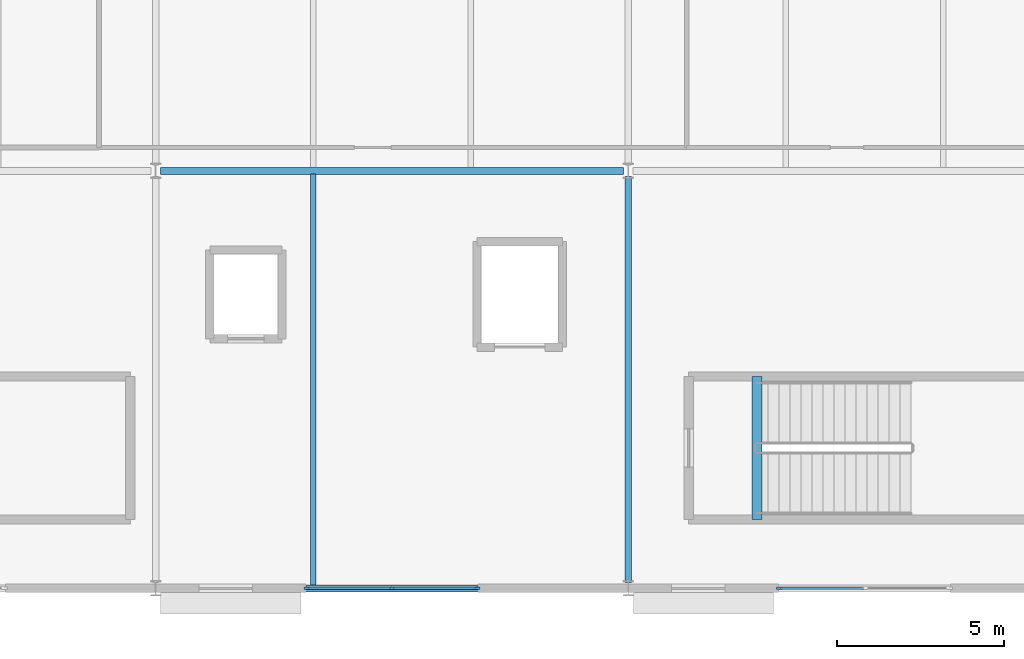
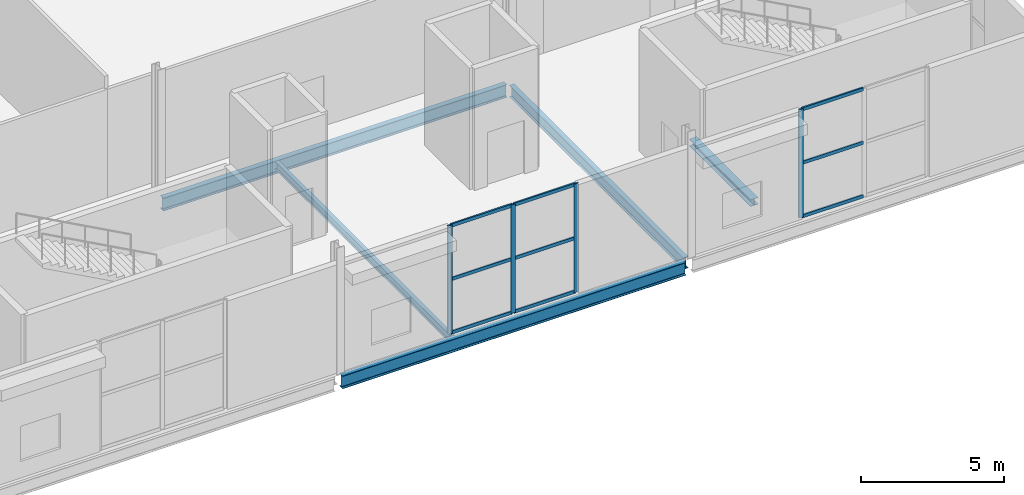
# One storey, part 40 of 84: 13 members, 5 beams, 2 elements without a shape of their own.
"""IFC4 building model written with IfcOpenShell, lengths in metres."""

from ifc_helpers import new_model, si_unit, direction, frame, origin, origin_2d, place, context, subcontext, project, spatial, rectangle, i_section, extrude, material, material_profile, profile_set, type_object, element, aggregate, save


model = new_model("IFC4")

# Units and contexts
model_context = context("Model", 3, precision=1e-05, world=origin(), true_north=direction((0.0, 1.0)))
body_context = subcontext(model_context, "Body", "Model", "MODEL_VIEW")
ifc_project = project(units=[si_unit("LENGTHUNIT", "METRE"), si_unit("AREAUNIT", "SQUARE_METRE"), si_unit("VOLUMEUNIT", "CUBIC_METRE"), si_unit("PLANEANGLEUNIT", "RADIAN"), si_unit("MASSUNIT", "GRAM", prefix="KILO")], contexts=[model_context])

# Site, building, storey
site_placement = place(None, origin())
site = spatial("IfcSite", under=ifc_project, at=site_placement, CompositionType="ELEMENT")
building_placement = place(site_placement, origin())
building = spatial("IfcBuilding", under=site, at=building_placement, Name="Kimbaza Rail Terminus", CompositionType="ELEMENT")
storey_placement = place(building_placement, frame((0.0, 0.0, 5.39990234375)))
storey = spatial("IfcBuildingStorey", under=building, at=storey_placement, Name="L01", CompositionType="ELEMENT", Elevation=5.39990234375)

# Curtain wall, members
ifc_material_1 = material(Name="Anodised aluminium framing and solar low-E glazing", Category="aluminium")
curtain_wall_type = type_object("IfcCurtainWallType", Name="ARC-CW-PV1", PredefinedType="USERDEFINED", material=ifc_material_1)
curtain_wall_1_placement = place(storey_placement, origin())
curtain_wall_1 = element("IfcCurtainWall", 1, at=curtain_wall_1_placement, inside=storey, type_object=curtain_wall_type, Name="Pavilion S Curtain Wall L01.3", ObjectType="STICK CURTAIN WALL", PredefinedType="USERDEFINED")
ifc_material_2 = material(Name="Anodised architectural aluminium", Category="aluminium")
ifc_material_profile_1 = material_profile(ifc_material_2, rectangle(XDim=0.06494140625, YDim=0.175048828125, at=origin_2d()), Name="MULLION 65x175")
ifc_profile_set_1 = profile_set([ifc_material_profile_1], Name="Anodised architectural aluminium")
member_type_1 = type_object("IfcMemberType", Name="ARC-CWM-04", PredefinedType="MULLION", material=ifc_profile_set_1)
member_1_placement = place(storey_placement, frame((190.232421875, 13.0, 0.0), z_axis=(0.0, 0.0, 1.0), x_axis=(0.0, 1.0, 0.0)))
member_1 = element("IfcMember", 2, at=member_1_placement, type_object=member_type_1, Name="CW-04 mullion 1", PredefinedType="MULLION", context=body_context, shape_type="SweptSolid", body=[
    extrude(rectangle(XDim=0.06494140625, YDim=0.175048828125, at=origin_2d()), origin(), (0.0, 0.0, 1.0), 4.625),
])
member_2_placement = place(storey_placement, frame((192.77490234375, 13.0, 0.0), z_axis=(0.0, 0.0, 1.0), x_axis=(0.0, 1.0, 0.0)))
member_2 = element("IfcMember", 3, at=member_2_placement, type_object=member_type_1, Name="CW-04 mullion 2", PredefinedType="MULLION", context=body_context, shape_type="SweptSolid", body=[
    extrude(rectangle(XDim=0.06494140625, YDim=0.175048828125, at=origin_2d()), origin(), (0.0, 0.0, 1.0), 4.625),
])
member_3_placement = place(storey_placement, frame((195.3173828125, 13.0, 0.0), z_axis=(0.0, 0.0, 1.0), x_axis=(0.0, 1.0, 0.0)))
member_3 = element("IfcMember", 4, at=member_3_placement, type_object=member_type_1, Name="CW-04 mullion 3", PredefinedType="MULLION", context=body_context, shape_type="SweptSolid", body=[
    extrude(rectangle(XDim=0.06494140625, YDim=0.175048828125, at=origin_2d()), origin(), (0.0, 0.0, 1.0), 4.625),
])

# Curtain wall, member
curtain_wall_2_placement = place(storey_placement, origin())
curtain_wall_2 = element("IfcCurtainWall", 5, at=curtain_wall_2_placement, inside=storey, type_object=curtain_wall_type, Name="Pavilion S Curtain Wall L01.4", ObjectType="STICK CURTAIN WALL", PredefinedType="USERDEFINED")
member_4_placement = place(storey_placement, frame((204.382568359375, 13.0, 0.0), z_axis=(0.0, 0.0, 1.0), x_axis=(0.0, 1.0, 0.0)))
member_4 = element("IfcMember", 6, at=member_4_placement, type_object=member_type_1, Name="CW-04 mullion 1", PredefinedType="MULLION", context=body_context, shape_type="SweptSolid", body=[
    extrude(rectangle(XDim=0.06494140625, YDim=0.175048828125, at=origin_2d()), origin(), (0.0, 0.0, 1.0), 4.625),
])

# Member
ifc_material_3 = material(Name="Anodised architectural aluminium", Category="aluminium")
ifc_material_profile_2 = material_profile(ifc_material_3, rectangle(XDim=0.06494140625, YDim=0.139892578125, at=origin_2d()), Name="TRANSOM 65x140")
ifc_profile_set_2 = profile_set([ifc_material_profile_2], Name="Anodised architectural aluminium")
member_type_2 = type_object("IfcMemberType", Name="ARC-CWT-04", PredefinedType="USERDEFINED", material=ifc_profile_set_2)
member_5_placement = place(storey_placement, frame((190.264892578125, 13.0, 0.03271484375), z_axis=(1.0, 0.0, 0.0), x_axis=(0.0, 1.0, 0.0)))
member_5 = element("IfcMember", 7, at=member_5_placement, type_object=member_type_2, Name="CW-04 transom 1.1", ObjectType="TRANSOM", PredefinedType="USERDEFINED", context=body_context, shape_type="SweptSolid", body=[
    extrude(rectangle(XDim=0.06494140625, YDim=0.139892578125, at=origin_2d()), origin(), (0.0, 0.0, 1.0), 2.4775390625),
])

member_6_placement = place(storey_placement, frame((190.264892578125, 13.0, 2.3125), z_axis=(1.0, 0.0, 0.0), x_axis=(0.0, 1.0, 0.0)))
member_6 = element("IfcMember", 8, at=member_6_placement, type_object=member_type_2, Name="CW-04 transom 1.2", ObjectType="TRANSOM", PredefinedType="USERDEFINED", context=body_context, shape_type="SweptSolid", body=[
    extrude(rectangle(XDim=0.06494140625, YDim=0.139892578125, at=origin_2d()), origin(), (0.0, 0.0, 1.0), 2.4775390625),
])

member_7_placement = place(storey_placement, frame((190.264892578125, 13.0, 4.592529296875), z_axis=(1.0, 0.0, 0.0), x_axis=(0.0, 1.0, 0.0)))
member_7 = element("IfcMember", 9, at=member_7_placement, type_object=member_type_2, Name="CW-04 transom 1.3", ObjectType="TRANSOM", PredefinedType="USERDEFINED", context=body_context, shape_type="SweptSolid", body=[
    extrude(rectangle(XDim=0.06494140625, YDim=0.139892578125, at=origin_2d()), origin(), (0.0, 0.0, 1.0), 2.4775390625),
])

member_8_placement = place(storey_placement, frame((192.8076171875, 13.0, 0.03271484375), z_axis=(1.0, 0.0, 0.0), x_axis=(0.0, 1.0, 0.0)))
member_8 = element("IfcMember", 10, at=member_8_placement, type_object=member_type_2, Name="CW-04 transom 2.1", ObjectType="TRANSOM", PredefinedType="USERDEFINED", context=body_context, shape_type="SweptSolid", body=[
    extrude(rectangle(XDim=0.06494140625, YDim=0.139892578125, at=origin_2d()), origin(), (0.0, 0.0, 1.0), 2.477294921875),
])

member_9_placement = place(storey_placement, frame((192.8076171875, 13.0, 2.3125), z_axis=(1.0, 0.0, 0.0), x_axis=(0.0, 1.0, 0.0)))
member_9 = element("IfcMember", 11, at=member_9_placement, type_object=member_type_2, Name="CW-04 transom 2.2", ObjectType="TRANSOM", PredefinedType="USERDEFINED", context=body_context, shape_type="SweptSolid", body=[
    extrude(rectangle(XDim=0.06494140625, YDim=0.139892578125, at=origin_2d()), origin(), (0.0, 0.0, 1.0), 2.477294921875),
])

member_10_placement = place(storey_placement, frame((192.8076171875, 13.0, 4.592529296875), z_axis=(1.0, 0.0, 0.0), x_axis=(0.0, 1.0, 0.0)))
member_10 = element("IfcMember", 12, at=member_10_placement, type_object=member_type_2, Name="CW-04 transom 2.3", ObjectType="TRANSOM", PredefinedType="USERDEFINED", context=body_context, shape_type="SweptSolid", body=[
    extrude(rectangle(XDim=0.06494140625, YDim=0.139892578125, at=origin_2d()), origin(), (0.0, 0.0, 1.0), 2.477294921875),
])

aggregate(curtain_wall_1, [member_1, member_2, member_3, member_5, member_6, member_7, member_8, member_9, member_10])

member_11_placement = place(storey_placement, frame((204.4150390625, 13.0, 0.03271484375), z_axis=(1.0, 0.0, 0.0), x_axis=(0.0, 1.0, 0.0)))
member_11 = element("IfcMember", 13, at=member_11_placement, type_object=member_type_2, Name="CW-04 transom 1.1", ObjectType="TRANSOM", PredefinedType="USERDEFINED", context=body_context, shape_type="SweptSolid", body=[
    extrude(rectangle(XDim=0.06494140625, YDim=0.139892578125, at=origin_2d()), origin(), (0.0, 0.0, 1.0), 2.4775390625),
])

member_12_placement = place(storey_placement, frame((204.4150390625, 13.0, 2.3125), z_axis=(1.0, 0.0, 0.0), x_axis=(0.0, 1.0, 0.0)))
member_12 = element("IfcMember", 14, at=member_12_placement, type_object=member_type_2, Name="CW-04 transom 1.2", ObjectType="TRANSOM", PredefinedType="USERDEFINED", context=body_context, shape_type="SweptSolid", body=[
    extrude(rectangle(XDim=0.06494140625, YDim=0.139892578125, at=origin_2d()), origin(), (0.0, 0.0, 1.0), 2.4775390625),
])

member_13_placement = place(storey_placement, frame((204.4150390625, 13.0, 4.592529296875), z_axis=(1.0, 0.0, 0.0), x_axis=(0.0, 1.0, 0.0)))
member_13 = element("IfcMember", 15, at=member_13_placement, type_object=member_type_2, Name="CW-04 transom 1.3", ObjectType="TRANSOM", PredefinedType="USERDEFINED", context=body_context, shape_type="SweptSolid", body=[
    extrude(rectangle(XDim=0.06494140625, YDim=0.139892578125, at=origin_2d()), origin(), (0.0, 0.0, 1.0), 2.4775390625),
])

aggregate(curtain_wall_2, [member_4, member_11, member_12, member_13])

# Beams
ifc_material_4 = material(Name="Steel S355", Category="steel")
ifc_material_profile_3 = material_profile(ifc_material_4, i_section(OverallWidth=0.300048828125, OverallDepth=0.2900390625, WebThickness=0.008544921875, FlangeThickness=0.013916015625, FilletRadius=0.027099609375, at=origin_2d()), Name="HEA 300")
ifc_profile_set_3 = profile_set([ifc_material_profile_3], Name="Steel S355")
beam_type_1 = type_object("IfcBeamType", Name="STR-BM-HEA300", PredefinedType="SPANDREL", material=ifc_profile_set_3)
beam_1_placement = place(storey_placement, frame((203.699951171875, 15.06005859375, -0.364990234375), z_axis=(0.0, 1.0, 0.0), x_axis=(-1.0, 0.0, 0.0)))
element("IfcBeam", 16, at=beam_1_placement, inside=storey, type_object=beam_type_1, Name="Retail Pavilion East Stair Landing Trimmer Beam L01", PredefinedType="SPANDREL", context=body_context, shape_type="SweptSolid", body=[
    extrude(i_section(OverallWidth=0.300048828125, OverallDepth=0.2900390625, WebThickness=0.008544921875, FlangeThickness=0.013916015625, FilletRadius=0.027099609375, at=origin_2d()), origin(), (0.0, 0.0, 1.0), 4.280029296875),
])
ifc_material_5 = material(Name="Steel S355", Category="steel")
ifc_material_profile_4 = material_profile(ifc_material_5, i_section(OverallWidth=0.159912109375, OverallDepth=0.330078125, WebThickness=0.007568359375, FlangeThickness=0.011474609375, FilletRadius=0.01806640625, at=origin_2d()), Name="IPE 330")
ifc_profile_set_4 = profile_set([ifc_material_profile_4], Name="Steel S355")
beam_type_2 = type_object("IfcBeamType", Name="STR-BM-IPE330", PredefinedType="JOIST", material=ifc_profile_set_4)
beam_2_placement = place(storey_placement, frame((190.416748046875, 13.10009765625, -0.385009765625), z_axis=(0.0, 1.0, 0.0), x_axis=(-1.0, 0.0, 0.0)))
element("IfcBeam", 17, at=beam_2_placement, inside=storey, type_object=beam_type_2, Name="Beam JST-V4-L01-2-1-0", PredefinedType="JOIST", context=body_context, shape_type="SweptSolid", body=[
    extrude(i_section(OverallWidth=0.159912109375, OverallDepth=0.330078125, WebThickness=0.007568359375, FlangeThickness=0.011474609375, FilletRadius=0.01806640625, at=origin_2d()), origin(), (0.0, 0.0, 1.0), 12.2998046875),
])
ifc_material_6 = material(Name="Steel S355", Category="steel")
ifc_material_profile_5 = material_profile(ifc_material_6, i_section(OverallWidth=0.199951171875, OverallDepth=0.5, WebThickness=0.01025390625, FlangeThickness=0.01611328125, FilletRadius=0.02099609375, at=origin_2d()), Name="IPE 500")
ifc_profile_set_5 = profile_set([ifc_material_profile_5], Name="Steel S355")
beam_type_3 = type_object("IfcBeamType", Name="STR-BM-IPE500", PredefinedType="BEAM", material=ifc_profile_set_5)
beam_3_placement = place(storey_placement, frame((199.85009765625, 13.175048828125, -0.469970703125), z_axis=(0.0, 1.0, 0.0), x_axis=(-1.0, 0.0, 0.0)))
element("IfcBeam", 18, at=beam_3_placement, inside=storey, type_object=beam_type_3, Name="Beam BM-V4Y-L01-3-0", PredefinedType="BEAM", context=body_context, shape_type="SweptSolid", body=[
    extrude(i_section(OverallWidth=0.199951171875, OverallDepth=0.5, WebThickness=0.01025390625, FlangeThickness=0.01611328125, FilletRadius=0.02099609375, at=origin_2d()), origin(), (0.0, 0.0, 1.0), 12.14990234375),
])
ifc_material_7 = material(Name="Steel S355", Category="steel")
ifc_material_profile_6 = material_profile(ifc_material_7, i_section(OverallWidth=0.2099609375, OverallDepth=0.550048828125, WebThickness=0.010986328125, FlangeThickness=0.01708984375, FilletRadius=0.02392578125, at=origin_2d()), Name="IPE 550")
ifc_profile_set_6 = profile_set([ifc_material_profile_6], Name="Steel S355")
beam_type_4 = type_object("IfcBeamType", Name="STR-BM-IPE550", PredefinedType="BEAM", material=ifc_profile_set_6)
for number, where, z_axis, x_axis, name in (
    (19, (185.845947265625, 13.0, -0.494873046875), (1.0, 0.0, 0.0), (0.0, 1.0, 0.0), "Beam BM-V4X-L01-2-0"),
    (20, (185.845947265625, 25.5, -0.494873046875), (1.0, 0.0, 0.0), (0.0, 1.0, 0.0), "Beam BM-V4X-L01-2-1"),
):
    element("IfcBeam", number, at=place(storey_placement, frame(where, z_axis=z_axis, x_axis=x_axis)), inside=storey, type_object=beam_type_4, Name=name, PredefinedType="BEAM", context=body_context, shape_type="SweptSolid", body=[
        extrude(i_section(OverallWidth=0.2099609375, OverallDepth=0.550048828125, WebThickness=0.010986328125, FlangeThickness=0.01708984375, FilletRadius=0.02392578125, at=origin_2d()), origin(), (0.0, 0.0, 1.0), 13.858154296875),
    ])

save(model, "model.ifc")
